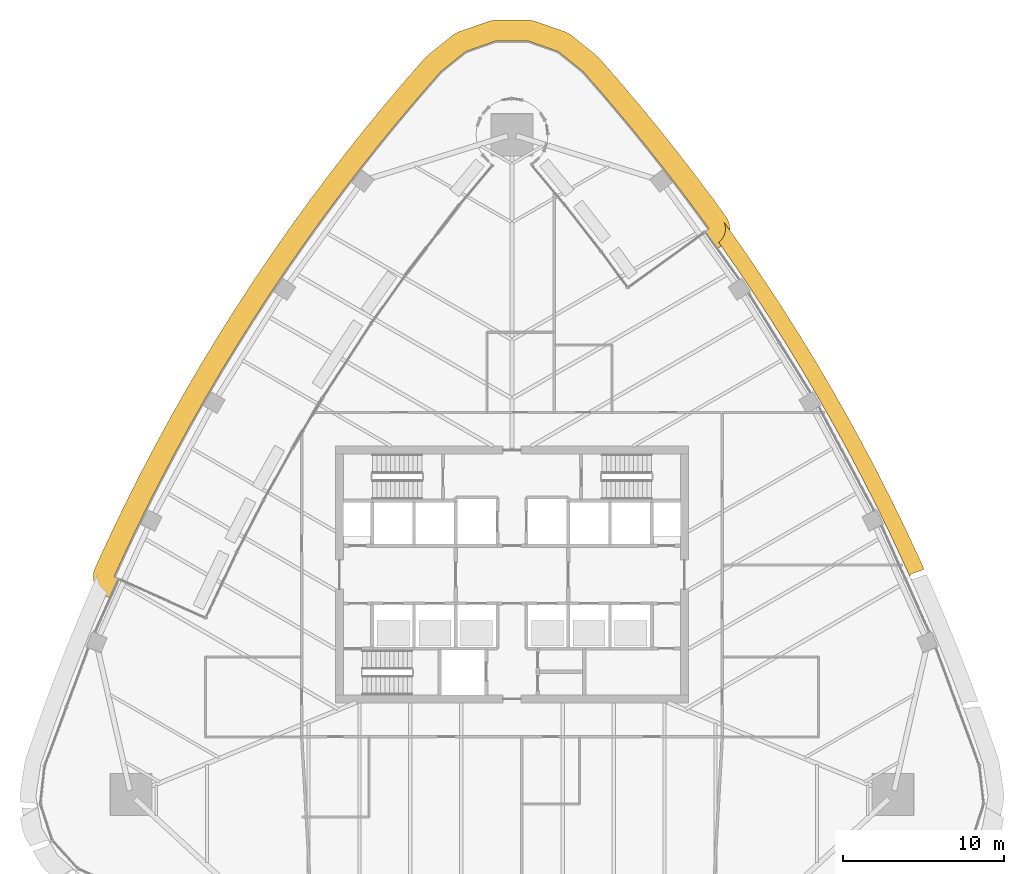
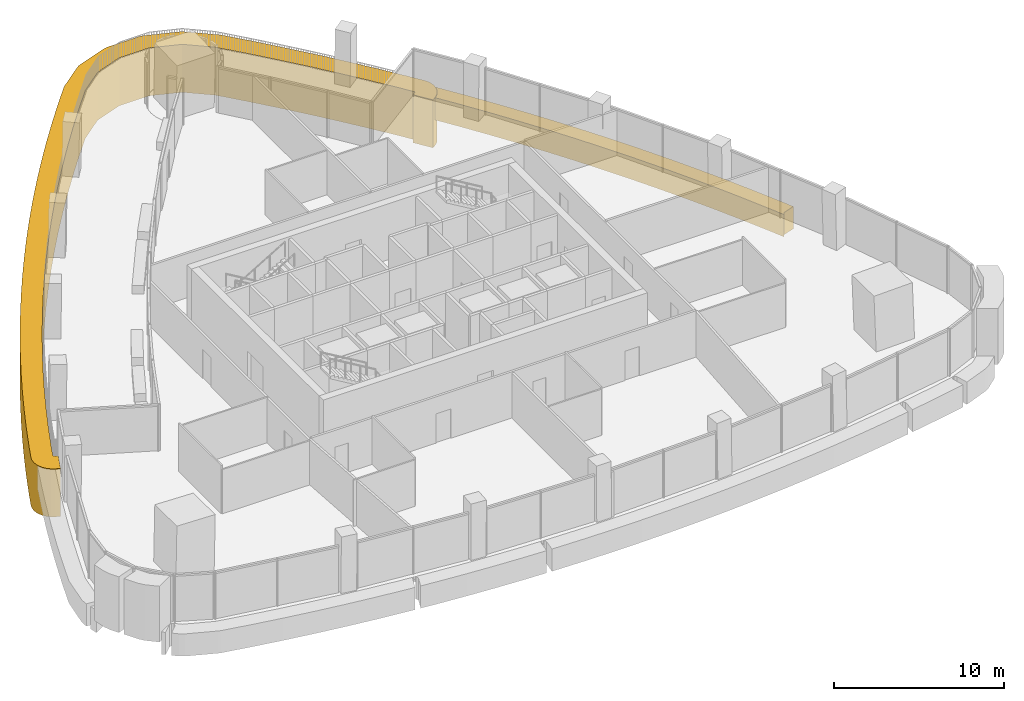
# One storey, part 18 of 19: 2 coverings.
"""IFC4 building model written with IfcOpenShell, lengths in metres."""

import ifcopenshell
import ifcopenshell.guid

model = None  # the IFC model being written
_history = None  # IfcOwnerHistory: only IFC2X3 demands one
_inside = {}  # id of a spatial element -> (the spatial element, [elements in it])
_under = {}  # id of a project, library or spatial element -> (it, [spatial elements below it])
_declared = {}  # id of a project -> (the project, [libraries it declares])
_typed = {}  # id of a type object -> (the type object, [elements of that type])
_made_of = {}  # id of a material, layer set ... -> (it, [elements and type objects made of it])


def new_model(schema):
    """Start an empty IFC model of exactly this schema.

    Asked for "IFC4X3", IfcOpenShell would pick the latest addendum, in which some entities
    have other attributes; the version numbers below select the first issue.
    IFC2X3 requires an IfcOwnerHistory on every rooted entity: one is made here for all.
    """
    global model, _history
    if schema == "IFC4X3":
        model = ifcopenshell.file(schema_version=(4, 3, 0, 0))
    else:
        model = ifcopenshell.file(schema=schema)
    _inside.clear()
    _under.clear()
    _declared.clear()
    _typed.clear()
    _made_of.clear()
    _history = None
    if model.schema == "IFC2X3":
        org = make("IfcOrganization", Name="unknown")
        user = make(
            "IfcPersonAndOrganization",
            ThePerson=make("IfcPerson", FamilyName="unknown"),
            TheOrganization=org,
        )
        app = make(
            "IfcApplication",
            ApplicationDeveloper=org,
            Version="unknown",
            ApplicationFullName="unknown",
            ApplicationIdentifier="unknown",
        )
        _history = make(
            "IfcOwnerHistory",
            OwningUser=user,
            OwningApplication=app,
            ChangeAction="ADDED",
            CreationDate=0,
        )
    return model


def make(cls, **values):
    """One entity of the class cls with the attributes given. An attribute that is None is left unset."""
    return model.create_entity(
        cls, **{name: value for name, value in values.items() if value is not None}
    )


def rooted(cls, **values):
    """An entity with a GlobalId (a new one), such as an element, a storey or a relation."""
    return make(cls, GlobalId=ifcopenshell.guid.new(), OwnerHistory=_history, **values)


def si_unit(unit_type, name, prefix=None):
    """IfcSIUnit, for example si_unit("LENGTHUNIT", "METRE", prefix="MILLI")."""
    return make("IfcSIUnit", UnitType=unit_type, Prefix=prefix, Name=name)


def assignment(units):
    """IfcUnitAssignment: the units of a project."""
    return None if units is None else make("IfcUnitAssignment", Units=units)


def point(xyz):
    """IfcCartesianPoint."""
    return None if xyz is None else make("IfcCartesianPoint", Coordinates=xyz)


def direction(xyz):
    """IfcDirection."""
    return None if xyz is None else make("IfcDirection", DirectionRatios=xyz)


def frame(location, z_axis=None, x_axis=None):
    """IfcAxis2Placement3D, a coordinate frame: its origin and axes. An axis left out is left unset."""
    return make(
        "IfcAxis2Placement3D",
        Location=point(location),
        Axis=direction(z_axis),
        RefDirection=direction(x_axis),
    )


def origin():
    """The frame at (0, 0, 0) with its axes left unset."""
    return frame((0.0, 0.0, 0.0))


def place(relative_to, where):
    """IfcLocalPlacement: puts the frame where relative to a parent placement (None: the world)."""
    return make(
        "IfcLocalPlacement", PlacementRelTo=relative_to, RelativePlacement=where
    )


def context(
    kind, dimensions, precision=None, world=None, true_north=None, identifier=None
):
    """IfcGeometricRepresentationContext, for example the 3D "Model" context."""
    return make(
        "IfcGeometricRepresentationContext",
        ContextIdentifier=identifier,
        ContextType=kind,
        CoordinateSpaceDimension=dimensions,
        Precision=precision,
        WorldCoordinateSystem=world,
        TrueNorth=true_north,
    )


def subcontext(parent, identifier, kind, view, scale=None):
    """IfcGeometricRepresentationSubContext, for example "Body" below "Model"."""
    return make(
        "IfcGeometricRepresentationSubContext",
        ContextIdentifier=identifier,
        ContextType=kind,
        ParentContext=parent,
        TargetScale=scale,
        TargetView=view,
    )


def project(units=None, contexts=None):
    """IfcProject with its units and contexts."""
    return rooted(
        "IfcProject",
        Name="project",
        RepresentationContexts=contexts,
        UnitsInContext=assignment(units),
    )


def spatial(cls, under=None, at=None, **own):
    """A site, building, storey or space (cls), placed at a placement, below another one or the project."""
    s = rooted(cls, ObjectPlacement=at, **own)
    if under is not None:
        _under.setdefault(under.id(), (under, []))[1].append(s)
    return s


def polyline(points):
    """IfcPolyline through the points."""
    return make("IfcPolyline", Points=[point(p) for p in points])


def outline(outer, holes=None, kind="AREA"):
    """IfcArbitraryClosedProfileDef: a profile drawn as a closed curve; with holes, ...WithVoids."""
    if holes is None:
        return make("IfcArbitraryClosedProfileDef", ProfileType=kind, OuterCurve=outer)
    return make(
        "IfcArbitraryProfileDefWithVoids",
        ProfileType=kind,
        OuterCurve=outer,
        InnerCurves=holes,
    )


def extrude(swept, where, along, depth):
    """IfcExtrudedAreaSolid: the profile swept, set in the frame where, extruded along a direction by depth."""
    return make(
        "IfcExtrudedAreaSolid",
        SweptArea=swept,
        Position=where,
        ExtrudedDirection=direction(along),
        Depth=depth,
    )


def shape(context_of_items, identifier, shape_type, items):
    """IfcShapeRepresentation: the items that make up one representation, for example the "Body"."""
    return make(
        "IfcShapeRepresentation",
        ContextOfItems=context_of_items,
        RepresentationIdentifier=identifier,
        RepresentationType=shape_type,
        Items=items,
    )


def material(Name=None, Category=None):
    """IfcMaterial."""
    return make("IfcMaterial", Name=Name, Category=Category)


def layer(
    of_material, thickness, ventilated=None, Name=None, Category=None, Priority=None
):
    """IfcMaterialLayer: one layer of a wall or slab, of a material (None: an air gap)."""
    return make(
        "IfcMaterialLayer",
        Material=of_material,
        LayerThickness=thickness,
        IsVentilated=ventilated,
        Name=Name,
        Category=Category,
        Priority=Priority,
    )


def layer_set(layers, Name=None):
    """IfcMaterialLayerSet."""
    return make("IfcMaterialLayerSet", MaterialLayers=layers, LayerSetName=Name)


def made_of(thing, what):
    """Note that an element or type object is made of a material, layer set ...; save() writes the relation."""
    if what is not None:
        _made_of.setdefault(what.id(), (what, []))[1].append(thing)
    return thing


def type_object(cls, material=None, **own):
    """A type object (cls), such as IfcWallType, which elements share."""
    return made_of(rooted(cls, **own), material)


def element(
    cls,
    number,
    at=None,
    inside=None,
    cuts=None,
    type_object=None,
    material=None,
    context=None,
    identifier="Body",
    shape_type=None,
    held_by="IfcProductDefinitionShape",
    body=None,
    shapes=None,
    **own,
):
    """One element of the class cls, such as IfcWall. Its Tag is "e" and its number.

    at: its placement. inside: the storey or other place that contains it. cuts: it is an
    opening in that element (IfcRelVoidsElement). A single representation is given by context,
    identifier, shape_type and body (its items); several are given by shapes. held_by: the class
    of the entity that holds the representations. save() writes the other relations.
    """
    e = rooted(cls, Tag="e%d" % number, ObjectPlacement=at, **own)
    if body is not None:
        shapes = [shape(context, identifier, shape_type, body)]
    if shapes is not None:
        e.Representation = make(held_by, Representations=shapes)
    if inside is not None:
        _inside.setdefault(inside.id(), (inside, []))[1].append(e)
    if cuts is not None:
        rooted(
            "IfcRelVoidsElement", RelatingBuildingElement=cuts, RelatedOpeningElement=e
        )
    if type_object is not None:
        _typed.setdefault(type_object.id(), (type_object, []))[1].append(e)
    return made_of(e, material)


def aggregate(whole, parts):
    """IfcRelAggregates: a whole, such as a stair, and the parts it consists of."""
    return rooted("IfcRelAggregates", RelatingObject=whole, RelatedObjects=parts)


def save(model, path):
    """Write the relations noted so far, then the file.

    IfcRelAggregates (storeys below a building ...), IfcRelContainedInSpatialStructure (elements
    in a storey), IfcRelDefinesByType, IfcRelAssociatesMaterial and IfcRelDeclares: one each for
    every whole, place, type object, material and project.
    """
    for whole, parts in _under.values():
        aggregate(whole, parts)
    for where, things in _inside.values():
        rooted(
            "IfcRelContainedInSpatialStructure",
            RelatedElements=things,
            RelatingStructure=where,
        )
    for kind, things in _typed.values():
        rooted("IfcRelDefinesByType", RelatedObjects=things, RelatingType=kind)
    for what, things in _made_of.values():
        rooted("IfcRelAssociatesMaterial", RelatedObjects=things, RelatingMaterial=what)
    for by, libraries in _declared.values():
        rooted("IfcRelDeclares", RelatingContext=by, RelatedDefinitions=libraries)
    model.write(path)


model = new_model("IFC4")

# Units and contexts
model_context = context("Model", 3, precision=1e-05, world=origin(), true_north=direction((0.0, 1.0)))
body_context = subcontext(model_context, "Body", "Model", "MODEL_VIEW")
ifc_project = project(units=[si_unit("LENGTHUNIT", "METRE"), si_unit("AREAUNIT", "SQUARE_METRE"), si_unit("VOLUMEUNIT", "CUBIC_METRE"), si_unit("PLANEANGLEUNIT", "RADIAN"), si_unit("MASSUNIT", "GRAM", prefix="KILO")], contexts=[model_context])

# Site, building, storey
site_placement = place(None, origin())
site = spatial("IfcSite", under=ifc_project, at=site_placement, CompositionType="ELEMENT")
building_placement = place(site_placement, origin())
building = spatial("IfcBuilding", under=site, at=building_placement, Name="Sierra Prisma Convention Tower", CompositionType="ELEMENT")
storey_placement = place(building_placement, frame((0.0, 0.0, 173.800048828125)))
storey = spatial("IfcBuildingStorey", under=building, at=storey_placement, Name="L38", CompositionType="ELEMENT", Elevation=173.800048828125)

# Coverings
ifc_material_1 = material(Name="Aluminium composite bronze anodised", Category="aluminium")
ifc_layer_1 = layer(ifc_material_1, 1.0)
ifc_layer_set_1 = layer_set([ifc_layer_1], Name="Bronze spandrel band")
covering_type_1 = type_object("IfcCoveringType", Name="Bronze spandrel band", PredefinedType="CLADDING", material=ifc_layer_set_1)
covering_1_placement = place(storey_placement, frame((0.0, 0.0, -1.60009765625)))
element("IfcCovering", 1, at=covering_1_placement, inside=storey, type_object=covering_type_1, Name="Spandrel band L38.3", PredefinedType="CLADDING", context=body_context, shape_type="SweptSolid", body=[
    extrude(outline(polyline([(13.6416015625, 21.35400390625), (13.650390625, 21.34130859375), (14.755859375, 19.757568359375), (14.7646484375, 19.74462890625), (15.844970703125, 18.143798828125), (15.853515625, 18.130859375), (16.908935546875, 16.513427734375), (16.91748046875, 16.500244140625), (17.947509765625, 14.866455078125), (17.955810546875, 14.853271484375), (18.960205078125, 13.20361328125), (18.96826171875, 13.190185546875), (19.94677734375, 11.525390625), (19.95458984375, 11.51171875), (20.9072265625, 9.831787109375), (20.914794921875, 9.818115234375), (21.84130859375, 8.123291015625), (21.848388671875, 8.109619140625), (22.748291015625, 6.40087890625), (22.755615234375, 6.386962890625), (23.628662109375, 4.664306640625), (23.635498046875, 4.650390625), (24.481689453125, 2.914306640625), (24.48828125, 2.900146484375), (25.307373046875, 1.15087890625), (25.31396484375, 1.136962890625), (25.67822265625, 0.326171875), (24.904541015625, 0.056884765625), (24.89990234375, 0.054931640625), (24.8955078125, 0.052490234375), (24.891357421875, 0.0498046875), (24.887451171875, 0.04638671875), (24.8837890625, 0.04296875), (24.880615234375, 0.0390625), (24.791748046875, -0.08251953125), (24.789306640625, -0.086669921875), (24.786865234375, -0.0908203125), (24.78515625, -0.09521484375), (24.78369140625, -0.099853515625), (24.78271484375, -0.1044921875), (24.7822265625, -0.109375), (24.7822265625, -0.114013671875), (24.78271484375, -0.118896484375), (24.783203125, -0.12158203125), (24.40185546875, 0.72705078125), (23.582763671875, 2.47607421875), (22.736572265625, 4.212158203125), (21.863525390625, 5.934814453125), (20.963623046875, 7.643798828125), (20.037353515625, 9.33837890625), (19.084716796875, 11.0185546875), (18.106201171875, 12.68359375), (17.1015625, 14.333251953125), (16.071533203125, 15.966796875), (15.01611328125, 17.58447265625), (13.935791015625, 19.185302734375), (12.873779296875, 20.70703125), (12.874755859375, 20.707763671875), (12.952880859375, 20.770263671875), (13.024658203125, 20.840087890625), (13.089111328125, 20.91650390625), (13.14599609375, 20.9990234375), (13.1943359375, 21.086669921875), (13.23388671875, 21.1787109375), (13.26416015625, 21.27392578125), (13.284912109375, 21.371826171875), (13.296142578125, 21.471435546875), (13.29736328125, 21.571533203125), (13.2890625, 21.671142578125), (13.270751953125, 21.76953125), (13.242919921875, 21.86572265625), (13.20654296875, 21.957275390625), (13.6416015625, 21.35400390625)])), origin(), (0.0, 0.0, 1.0), 1.60009765625),
])
ifc_material_2 = material(Name="Aluminium composite bronze anodised", Category="aluminium")
ifc_layer_2 = layer(ifc_material_2, 1.300048828125)
ifc_layer_set_2 = layer_set([ifc_layer_2], Name="Terrace fascia")
covering_type_2 = type_object("IfcCoveringType", Name="Terrace fascia", PredefinedType="CLADDING", material=ifc_layer_set_2)
covering_2_placement = place(storey_placement, frame((0.0, 0.0, -3.400146484375)))
element("IfcCovering", 2, at=covering_2_placement, inside=storey, type_object=covering_type_2, Name="Terrace fascia L38.1", PredefinedType="CLADDING", context=body_context, shape_type="SweptSolid", body=[
    extrude(outline(polyline([(-25.3212890625, -1.3193359375), (-25.54248046875, -1.192626953125), (-25.734619140625, -1.025146484375), (-25.890380859375, -0.823486328125), (-26.00390625, -0.59521484375), (-26.070556640625, -0.34912109375), (-26.087890625, -0.094970703125), (-26.055419921875, 0.15771484375), (-25.974365234375, 0.3994140625), (-25.587646484375, 1.259765625), (-25.5791015625, 1.2783203125), (-24.760009765625, 3.02734375), (-24.75146484375, 3.045654296875), (-23.9052734375, 4.78173828125), (-23.896240234375, 4.7998046875), (-23.023193359375, 6.522705078125), (-23.013916015625, 6.54052734375), (-22.114013671875, 8.24951171875), (-22.1044921875, 8.267333984375), (-21.177978515625, 9.9619140625), (-21.168212890625, 9.979736328125), (-20.215576171875, 11.659912109375), (-20.20556640625, 11.67724609375), (-19.226806640625, 13.34228515625), (-19.21630859375, 13.359619140625), (-18.2119140625, 15.00927734375), (-18.201171875, 15.026611328125), (-17.171142578125, 16.66015625), (-17.160400390625, 16.67724609375), (-16.10498046875, 18.294921875), (-16.09375, 18.311767578125), (-15.01318359375, 19.91259765625), (-15.001708984375, 19.92919921875), (-13.896484375, 21.51318359375), (-13.884765625, 21.529541015625), (-12.755126953125, 23.095947265625), (-12.7431640625, 23.1123046875), (-11.589111328125, 24.660888671875), (-11.576904296875, 24.677001953125), (-10.398681640625, 26.20751953125), (-10.386474609375, 26.2236328125), (-9.184814453125, 27.735595703125), (-9.171875, 27.751220703125), (-7.94677734375, 29.244384765625), (-7.933837890625, 29.260009765625), (-6.685546875, 30.733642578125), (-6.67236328125, 30.7490234375), (-5.4013671875, 32.203125), (-5.23583984375, 32.36181640625), (-3.68408203125, 33.60595703125), (-3.501953125, 33.728271484375), (-3.3017578125, 33.818115234375), (-1.42529296875, 34.4775390625), (-1.212890625, 34.532470703125), (-0.994384765625, 34.551025390625), (0.994384765625, 34.551025390625), (1.212890625, 34.532470703125), (1.42529296875, 34.4775390625), (3.3017578125, 33.818115234375), (3.501953125, 33.728271484375), (3.68408203125, 33.60595703125), (5.23583984375, 32.36181640625), (5.4013671875, 32.203125), (6.67236328125, 30.7490234375), (6.685546875, 30.733642578125), (7.933837890625, 29.260009765625), (7.94677734375, 29.244384765625), (9.171875, 27.751220703125), (9.184814453125, 27.735595703125), (10.386474609375, 26.2236328125), (10.398681640625, 26.20751953125), (11.576904296875, 24.677001953125), (11.589111328125, 24.660888671875), (12.7431640625, 23.1123046875), (12.755126953125, 23.095947265625), (13.33251953125, 22.29541015625), (13.460693359375, 22.0751953125), (13.543212890625, 21.833984375), (13.577392578125, 21.58154296875), (13.561279296875, 21.3271484375), (13.49609375, 21.080810546875), (13.38427734375, 20.851806640625), (13.2294921875, 20.649169921875), (13.03857421875, 20.480712890625), (12.78173828125, 20.29541015625), (12.021240234375, 21.349609375), (12.278076171875, 21.534912109375), (11.70068359375, 22.33544921875), (10.546630859375, 23.88427734375), (9.36865234375, 25.414794921875), (8.1669921875, 26.926513671875), (6.94189453125, 28.419677734375), (5.693603515625, 29.8935546875), (4.422607421875, 31.34765625), (2.870849609375, 32.591796875), (0.994384765625, 33.2509765625), (-0.994384765625, 33.2509765625), (-2.870849609375, 32.591796875), (-4.422607421875, 31.34765625), (-5.693603515625, 29.8935546875), (-6.94189453125, 28.419677734375), (-8.1669921875, 26.926513671875), (-9.36865234375, 25.414794921875), (-10.546630859375, 23.88427734375), (-11.70068359375, 22.33544921875), (-12.83056640625, 20.76904296875), (-13.935791015625, 19.185302734375), (-15.01611328125, 17.58447265625), (-16.071533203125, 15.966796875), (-17.1015625, 14.333251953125), (-18.106201171875, 12.68359375), (-19.084716796875, 11.0185546875), (-20.037353515625, 9.33837890625), (-20.963623046875, 7.643798828125), (-21.863525390625, 5.934814453125), (-22.736572265625, 4.212158203125), (-23.582763671875, 2.47607421875), (-24.40185546875, 0.72705078125), (-24.78857421875, -0.133544921875), (-24.499755859375, -0.263427734375), (-25.032470703125, -1.44921875), (-25.3212890625, -1.3193359375)])), origin(), (0.0, 0.0, 1.0), 3.440185546875),
])

save(model, "model.ifc")
